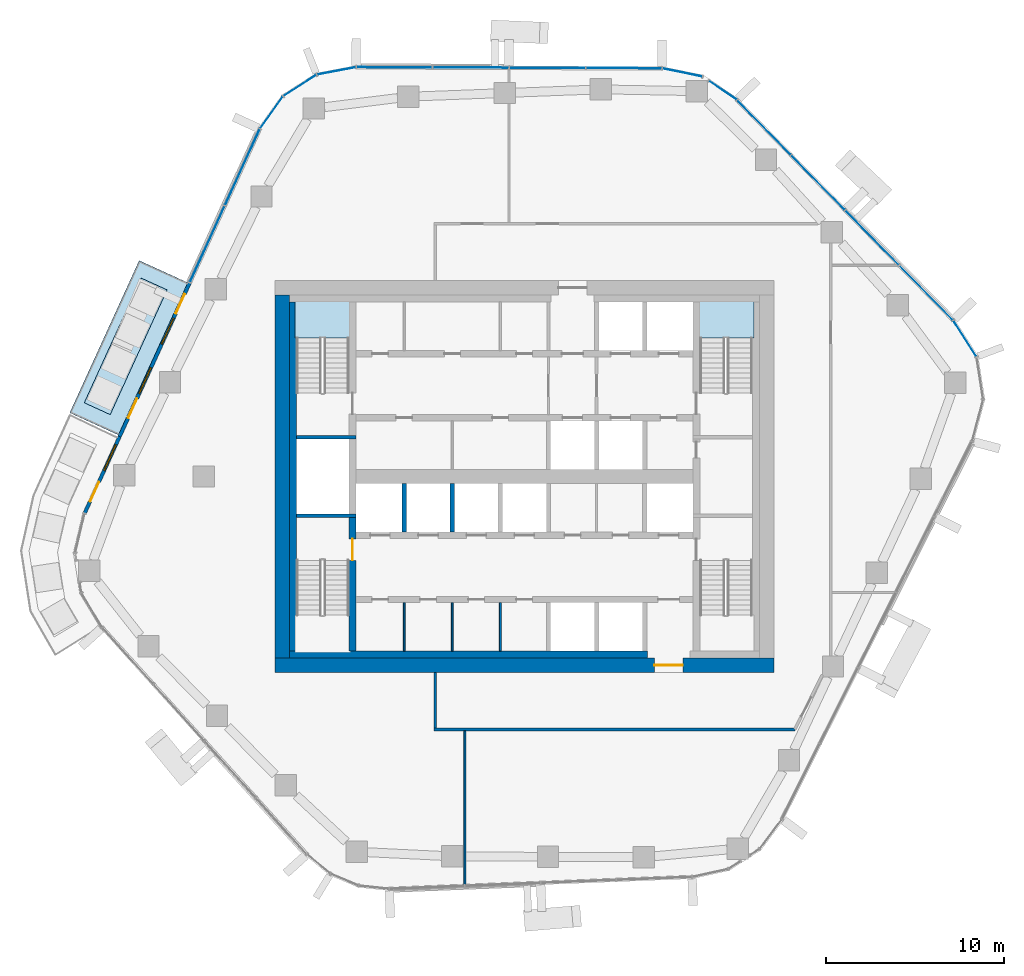
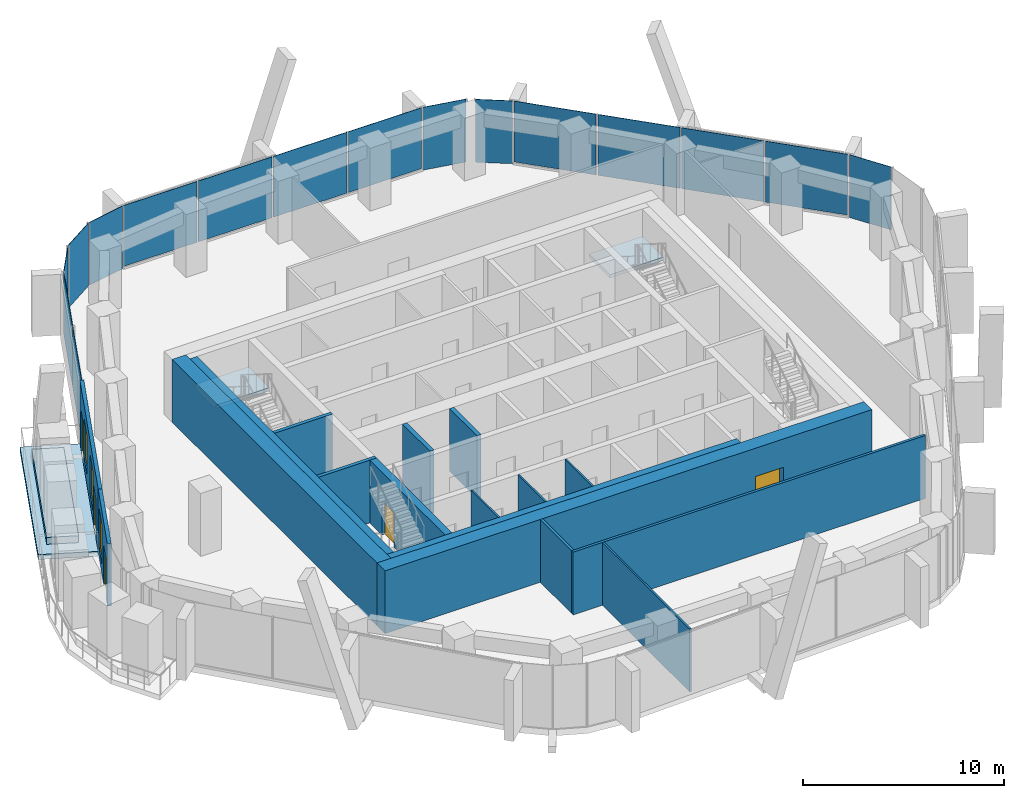
# One storey, part 11 of 19: 17 walls, 16 plates, 5 doors, 4 slabs, 3 windows, 8 openings, 9 elements without a shape of their own.
"""IFC4 building model written with IfcOpenShell, lengths in metres."""

from ifc_helpers import new_model, si_unit, direction, frame, frame_2d, origin, origin_2d, place, context, subcontext, project, spatial, polyline, rectangle, outline, extrude, material, layer, layer_set, type_object, element, fill, aggregate, save


model = new_model("IFC4")

# Units and contexts
model_context = context("Model", 3, precision=1e-05, world=origin(), true_north=direction((0.0, 1.0)))
body_context = subcontext(model_context, "Body", "Model", "MODEL_VIEW")
ifc_project = project(units=[si_unit("LENGTHUNIT", "METRE"), si_unit("AREAUNIT", "SQUARE_METRE"), si_unit("VOLUMEUNIT", "CUBIC_METRE"), si_unit("PLANEANGLEUNIT", "RADIAN"), si_unit("MASSUNIT", "GRAM", prefix="KILO")], contexts=[model_context])

# Site, building, storey
site_placement = place(None, origin())
site = spatial("IfcSite", under=ifc_project, at=site_placement, CompositionType="ELEMENT")
building_placement = place(site_placement, origin())
building = spatial("IfcBuilding", under=site, at=building_placement, Name="Dongbaek Canopy Tower", CompositionType="ELEMENT")
storey_placement = place(building_placement, frame((0.0, 0.0, 207.199951171875)))
storey = spatial("IfcBuildingStorey", under=building, at=storey_placement, Name="L43", CompositionType="ELEMENT", Elevation=207.199951171875)

# Slab
ifc_material_1 = material(Name="Concrete C40/50", Category="concrete")
ifc_layer_1 = layer(ifc_material_1, 0.300048828125)
ifc_layer_set_1 = layer_set([ifc_layer_1], Name="Balcony slab 300")
slab_type_1 = type_object("IfcSlabType", Name="Balcony slab 300", PredefinedType="FLOOR", material=ifc_layer_set_1)
slab_1_placement = place(storey_placement, frame((0.0, 0.0, -0.300048828125)))
element("IfcSlab", 1, at=slab_1_placement, inside=storey, type_object=slab_type_1, Name="Balcony L43 1", PredefinedType="FLOOR", context=body_context, shape_type="SweptSolid", body=[
    extrude(outline(polyline([(-18.8994140625, 10.88330078125), (-22.796142578125, 2.33447265625), (-25.52587890625, 3.57861328125), (-21.629150390625, 12.12744140625), (-18.8994140625, 10.88330078125)])), origin(), (0.0, 0.0, 1.0), 0.300048828125),
])

# Curtain wall, plate
ifc_material_2 = material(Name="Aluminium 6063-T6 pale anodised", Category="aluminium")
ifc_layer_2 = layer(ifc_material_2, 0.199951171875)
ifc_layer_set_2 = layer_set([ifc_layer_2], Name="CW-1 unitised tower curtain wall")
curtain_wall_type = type_object("IfcCurtainWallType", Name="CW-1 unitised tower curtain wall", PredefinedType="NOTDEFINED", material=ifc_layer_set_2)
curtain_wall_1_placement = place(storey_placement, origin())
curtain_wall_1 = element("IfcCurtainWall", 2, at=curtain_wall_1_placement, inside=storey, type_object=curtain_wall_type, Name="CW-1 curtain wall K0.1", PredefinedType="NOTDEFINED")
ifc_material_3 = material(Name="Clear laminated glass", Category="glass")
ifc_layer_3 = layer(ifc_material_3, 0.028076171875)
ifc_layer_set_3 = layer_set([ifc_layer_3], Name="CW-1 glazed panel 28")
plate_type = type_object("IfcPlateType", Name="CW-1 glazed panel 28", PredefinedType="CURTAIN_PANEL", material=ifc_layer_set_3)
plate_1_placement = place(storey_placement, frame((24.725830078125, 7.748046875, 0.0), z_axis=(0.0, 0.0, 1.0), x_axis=(-0.538699608566, 0.842497912004, 0.0)))
plate_1 = element("IfcPlate", 3, at=plate_1_placement, type_object=plate_type, Name="CW-1 panel K0.1.3.1", PredefinedType="CURTAIN_PANEL", context=body_context, shape_type="SweptSolid", body=[
    extrude(rectangle(XDim=2.35107421875, YDim=0.028076171875, at=origin_2d()), origin(), (0.0, 0.0, 1.0), 3.820068359375),
])
aggregate(curtain_wall_1, [plate_1])

# Curtain wall, plates
curtain_wall_2_placement = place(storey_placement, origin())
curtain_wall_2 = element("IfcCurtainWall", 4, at=curtain_wall_2_placement, inside=storey, type_object=curtain_wall_type, Name="CW-1 curtain wall F0.1", PredefinedType="NOTDEFINED")
plate_2_placement = place(storey_placement, frame((22.554931640625, 10.31787109375, 0.1201171875), z_axis=(0.0, 0.0, 1.0), x_axis=(-0.700367537709, 0.713782398301, 0.0)))
plate_2 = element("IfcPlate", 5, at=plate_2_placement, type_object=plate_type, Name="CW-1 panel F0.1.1.1", PredefinedType="CURTAIN_PANEL", context=body_context, shape_type="SweptSolid", body=[
    extrude(rectangle(XDim=4.24267578125, YDim=0.028076171875, at=origin_2d()), origin(), (0.0, 0.0, 1.0), 3.699951171875),
])
plate_3_placement = place(storey_placement, frame((19.52099609375, 13.409912109375, 0.1201171875), z_axis=(0.0, 0.0, 1.0), x_axis=(-0.700367537709, 0.713782398301, 0.0)))
plate_3 = element("IfcPlate", 6, at=plate_3_placement, type_object=plate_type, Name="CW-1 panel F0.1.2.1", PredefinedType="CURTAIN_PANEL", context=body_context, shape_type="SweptSolid", body=[
    extrude(rectangle(XDim=4.2529296875, YDim=0.028076171875, at=origin_2d()), origin(), (0.0, 0.0, 1.0), 3.699951171875),
])
plate_4_placement = place(storey_placement, frame((16.4833984375, 16.505615234375, 0.1201171875), z_axis=(0.0, 0.0, 1.0), x_axis=(-0.700367537709, 0.713782398301, 0.0)))
plate_4 = element("IfcPlate", 7, at=plate_4_placement, type_object=plate_type, Name="CW-1 panel F0.1.3.1", PredefinedType="CURTAIN_PANEL", context=body_context, shape_type="SweptSolid", body=[
    extrude(rectangle(XDim=4.2529296875, YDim=0.028076171875, at=origin_2d()), origin(), (0.0, 0.0, 1.0), 3.699951171875),
])
plate_5_placement = place(storey_placement, frame((13.449462890625, 19.59765625, 0.1201171875), z_axis=(0.0, 0.0, 1.0), x_axis=(-0.700367537709, 0.713782398301, 0.0)))
plate_5 = element("IfcPlate", 8, at=plate_5_placement, type_object=plate_type, Name="CW-1 panel F0.1.4.1", PredefinedType="CURTAIN_PANEL", context=body_context, shape_type="SweptSolid", body=[
    extrude(rectangle(XDim=4.2431640625, YDim=0.028076171875, at=origin_2d()), origin(), (0.0, 0.0, 1.0), 3.699951171875),
])
aggregate(curtain_wall_2, [plate_2, plate_3, plate_4, plate_5])

# Curtain wall, plate
curtain_wall_3_placement = place(storey_placement, origin())
curtain_wall_3 = element("IfcCurtainWall", 9, at=curtain_wall_3_placement, inside=storey, type_object=curtain_wall_type, Name="CW-1 curtain wall K1.1a", PredefinedType="NOTDEFINED")
plate_6_placement = place(storey_placement, frame((11.13671875, 21.68408203125, 0.0), z_axis=(0.0, 0.0, 1.0), x_axis=(-0.826979783957, 0.562231657706, 0.0)))
plate_6 = element("IfcPlate", 10, at=plate_6_placement, type_object=plate_type, Name="CW-1 panel K1.1a.1.1", PredefinedType="CURTAIN_PANEL", context=body_context, shape_type="SweptSolid", body=[
    extrude(rectangle(XDim=1.8447265625, YDim=0.028076171875, at=origin_2d()), origin(), (0.0, 0.0, 1.0), 3.820068359375),
])
aggregate(curtain_wall_3, [plate_6])

curtain_wall_4_placement = place(storey_placement, origin())
curtain_wall_4 = element("IfcCurtainWall", 11, at=curtain_wall_4_placement, inside=storey, type_object=curtain_wall_type, Name="CW-1 curtain wall K1.1b", PredefinedType="NOTDEFINED")
plate_7_placement = place(storey_placement, frame((8.8681640625, 22.683837890625, 0.0), z_axis=(0.0, 0.0, 1.0), x_axis=(-0.979771954396, 0.200117259075, 0.0)))
plate_7 = element("IfcPlate", 12, at=plate_7_placement, type_object=plate_type, Name="CW-1 panel K1.1b.1.1", PredefinedType="CURTAIN_PANEL", context=body_context, shape_type="SweptSolid", body=[
    extrude(rectangle(XDim=2.244140625, YDim=0.028076171875, at=origin_2d()), origin(), (0.0, 0.0, 1.0), 3.820068359375),
])
aggregate(curtain_wall_4, [plate_7])

# Curtain wall, plates
curtain_wall_5_placement = place(storey_placement, origin())
curtain_wall_5 = element("IfcCurtainWall", 13, at=curtain_wall_5_placement, inside=storey, type_object=curtain_wall_type, Name="CW-1 curtain wall F1.1", PredefinedType="NOTDEFINED")
plate_8_placement = place(storey_placement, frame((5.5830078125, 22.9248046875, 0.1201171875), z_axis=(0.0, 0.0, 1.0), x_axis=(-0.999993245538, 0.003675442583, 0.0)))
plate_8 = element("IfcPlate", 14, at=plate_8_placement, type_object=plate_type, Name="CW-1 panel F1.1.1.1", PredefinedType="CURTAIN_PANEL", context=body_context, shape_type="SweptSolid", body=[
    extrude(rectangle(XDim=4.205322265625, YDim=0.028076171875, at=origin_2d()), origin(), (0.0, 0.0, 1.0), 3.699951171875),
])
plate_9_placement = place(storey_placement, frame((1.288818359375, 22.940673828125, 0.1201171875), z_axis=(0.0, 0.0, 1.0), x_axis=(-0.999993245538, 0.003675442583, 0.0)))
plate_9 = element("IfcPlate", 15, at=plate_9_placement, type_object=plate_type, Name="CW-1 panel F1.1.2.1", PredefinedType="CURTAIN_PANEL", context=body_context, shape_type="SweptSolid", body=[
    extrude(rectangle(XDim=4.21533203125, YDim=0.028076171875, at=origin_2d()), origin(), (0.0, 0.0, 1.0), 3.699951171875),
])
plate_10_placement = place(storey_placement, frame((-3.010498046875, 22.956298828125, 0.1201171875), z_axis=(0.0, 0.0, 1.0), x_axis=(-0.999993245538, 0.003675442583, 0.0)))
plate_10 = element("IfcPlate", 16, at=plate_10_placement, type_object=plate_type, Name="CW-1 panel F1.1.3.1", PredefinedType="CURTAIN_PANEL", context=body_context, shape_type="SweptSolid", body=[
    extrude(rectangle(XDim=4.21533203125, YDim=0.028076171875, at=origin_2d()), origin(), (0.0, 0.0, 1.0), 3.699951171875),
])
plate_11_placement = place(storey_placement, frame((-7.304931640625, 22.97216796875, 0.1201171875), z_axis=(0.0, 0.0, 1.0), x_axis=(-0.999993245538, 0.003675442583, 0.0)))
plate_11 = element("IfcPlate", 17, at=plate_11_placement, type_object=plate_type, Name="CW-1 panel F1.1.4.1", PredefinedType="CURTAIN_PANEL", context=body_context, shape_type="SweptSolid", body=[
    extrude(rectangle(XDim=4.20556640625, YDim=0.028076171875, at=origin_2d()), origin(), (0.0, 0.0, 1.0), 3.699951171875),
])
aggregate(curtain_wall_5, [plate_8, plate_9, plate_10, plate_11])

curtain_wall_6_placement = place(storey_placement, origin())
curtain_wall_6 = element("IfcCurtainWall", 18, at=curtain_wall_6_placement, inside=storey, type_object=curtain_wall_type, Name="CW-1 curtain wall K2.1", PredefinedType="NOTDEFINED")
plate_12_placement = place(storey_placement, frame((-10.555419921875, 22.770263671875, 0.0), z_axis=(0.0, 0.0, 1.0), x_axis=(-0.982481231355, -0.186361557287, 0.0)))
plate_12 = element("IfcPlate", 19, at=plate_12_placement, type_object=plate_type, Name="CW-1 panel K2.1.1.1", PredefinedType="CURTAIN_PANEL", context=body_context, shape_type="SweptSolid", body=[
    extrude(rectangle(XDim=2.166748046875, YDim=0.028076171875, at=origin_2d()), origin(), (0.0, 0.0, 1.0), 3.820068359375),
])
plate_13_placement = place(storey_placement, frame((-12.6044921875, 21.956298828125, 0.0), z_axis=(0.0, 0.0, 1.0), x_axis=(-0.842050178225, -0.539399200363, 0.0)))
plate_13 = element("IfcPlate", 20, at=plate_13_placement, type_object=plate_type, Name="CW-1 panel K2.1.2.1", PredefinedType="CURTAIN_PANEL", context=body_context, shape_type="SweptSolid", body=[
    extrude(rectangle(XDim=2.156982421875, YDim=0.028076171875, at=origin_2d()), origin(), (0.0, 0.0, 1.0), 3.820068359375),
])
plate_14_placement = place(storey_placement, frame((-14.20068359375, 20.43505859375, 0.0), z_axis=(0.0, 0.0, 1.0), x_axis=(-0.580063743798, -0.814571085376, 0.0)))
plate_14 = element("IfcPlate", 21, at=plate_14_placement, type_object=plate_type, Name="CW-1 panel K2.1.3.1", PredefinedType="CURTAIN_PANEL", context=body_context, shape_type="SweptSolid", body=[
    extrude(rectangle(XDim=2.166748046875, YDim=0.028076171875, at=origin_2d()), origin(), (0.0, 0.0, 1.0), 3.820068359375),
])
aggregate(curtain_wall_6, [plate_12, plate_13, plate_14])

curtain_wall_7_placement = place(storey_placement, origin())
curtain_wall_7 = element("IfcCurtainWall", 22, at=curtain_wall_7_placement, inside=storey, type_object=curtain_wall_type, Name="CW-1 curtain wall F2.1", PredefinedType="NOTDEFINED")
plate_15_placement = place(storey_placement, frame((-15.8359375, 17.36279296875, 0.1201171875), z_axis=(0.0, 0.0, 1.0), x_axis=(-0.414755400449, -0.909932941374, 0.0)))
plate_15 = element("IfcPlate", 23, at=plate_15_placement, type_object=plate_type, Name="CW-1 panel F2.1.1.1", PredefinedType="CURTAIN_PANEL", context=body_context, shape_type="SweptSolid", body=[
    extrude(rectangle(XDim=4.654052734375, YDim=0.028076171875, at=origin_2d()), origin(), (0.0, 0.0, 1.0), 3.699951171875),
])
plate_16_placement = place(storey_placement, frame((-17.80322265625, 13.04736328125, 0.1201171875), z_axis=(0.0, 0.0, 1.0), x_axis=(-0.414755400449, -0.909932941374, 0.0)))
plate_16 = element("IfcPlate", 24, at=plate_16_placement, type_object=plate_type, Name="CW-1 panel F2.1.2.1", PredefinedType="CURTAIN_PANEL", context=body_context, shape_type="SweptSolid", body=[
    extrude(rectangle(XDim=4.66357421875, YDim=0.028076171875, at=origin_2d()), origin(), (0.0, 0.0, 1.0), 3.699951171875),
])
aggregate(curtain_wall_7, [plate_15, plate_16])

# Stair, slab
ifc_material_4 = material(Name="Concrete C40/50", Category="concrete")
stair_type = type_object("IfcStairType", Name="Core exit stair", PredefinedType="HALF_TURN_STAIR", material=ifc_material_4)
stair_1_placement = place(storey_placement, origin())
stair_1 = element("IfcStair", 25, at=stair_1_placement, inside=storey, type_object=stair_type, Name="L43 exit stair A", PredefinedType="HALF_TURN_STAIR")
ifc_material_5 = material(Name="Concrete C40/50", Category="concrete")
ifc_layer_4 = layer(ifc_material_5, 0.199951171875)
ifc_layer_set_4 = layer_set([ifc_layer_4], Name="Core stair landing 200")
slab_type_2 = type_object("IfcSlabType", Name="Core stair landing 200", PredefinedType="LANDING", material=ifc_layer_set_4)
slab_2_placement = place(storey_placement, frame((0.0, 0.0, 1.900146484375)))
slab_2 = element("IfcSlab", 26, at=slab_2_placement, type_object=slab_type_2, Name="ST-A landing 1", PredefinedType="LANDING", context=body_context, shape_type="SweptSolid", body=[
    extrude(outline(polyline([(12.875, 7.780029296875), (12.875, 9.875), (9.77490234375, 9.875), (9.77490234375, 7.780029296875), (12.875, 7.780029296875)])), origin(), (0.0, 0.0, 1.0), 0.199951171875),
])
aggregate(stair_1, [slab_2])

stair_2_placement = place(storey_placement, origin())
stair_2 = element("IfcStair", 27, at=stair_2_placement, inside=storey, type_object=stair_type, Name="L43 exit stair C", PredefinedType="HALF_TURN_STAIR")
slab_3_placement = place(storey_placement, frame((0.0, 0.0, 1.900146484375)))
slab_3 = element("IfcSlab", 28, at=slab_3_placement, type_object=slab_type_2, Name="ST-C landing 1", PredefinedType="LANDING", context=body_context, shape_type="SweptSolid", body=[
    extrude(outline(polyline([(-9.77490234375, 7.780029296875), (-9.77490234375, 9.875), (-12.875, 9.875), (-12.875, 7.780029296875), (-9.77490234375, 7.780029296875)])), origin(), (0.0, 0.0, 1.0), 0.199951171875),
])
aggregate(stair_2, [slab_3])

# Slab
ifc_material_6 = material(Name="Reinforced concrete C40/50 planter box with soil", Category="concrete")
ifc_layer_5 = layer(ifc_material_6, 0.419921875)
ifc_layer_set_5 = layer_set([ifc_layer_5], Name="Terrace planter box 1600 x 420")
slab_type_3 = type_object("IfcSlabType", Name="Terrace planter box 1600 x 420", PredefinedType="USERDEFINED", material=ifc_layer_set_5)
slab_4_placement = place(storey_placement, origin())
element("IfcSlab", 29, at=slab_4_placement, inside=storey, type_object=slab_type_3, Name="Balcony planter L43 1", ObjectType="PLANTER", PredefinedType="USERDEFINED", context=body_context, shape_type="SweptSolid", body=[
    extrude(outline(polyline([(-20.061767578125, 10.47900390625), (-23.25341796875, 3.47705078125), (-24.709228515625, 4.140625), (-21.517578125, 11.142578125), (-20.061767578125, 10.47900390625)])), origin(), (0.0, 0.0, 1.0), 0.420166015625),
])

# Wall, opening, door
ifc_material_7 = material(Name="Concrete C70/85", Category="concrete")
ifc_layer_6 = layer(ifc_material_7, 0.800048828125)
ifc_layer_set_6 = layer_set([ifc_layer_6], Name="Core outer wall 800 Concrete C70/85")
wall_type_1 = type_object("IfcWallType", Name="Core outer wall 800 Concrete C70/85", PredefinedType="SHEAR", material=ifc_layer_set_6)
wall_1_placement = place(storey_placement, frame((14.0, -10.60009765625, 0.0), z_axis=(0.0, 0.0, 1.0), x_axis=(-1.0, 0.0, 0.0)))
wall_1 = element("IfcWall", 30, at=wall_1_placement, inside=storey, type_object=wall_type_1, Name="Core wall", PredefinedType="SHEAR", context=body_context, shape_type="SweptSolid", body=[
    extrude(rectangle(XDim=28.0, YDim=0.800048828125, at=frame_2d((14.0, 0.0))), origin(), (0.0, 0.0, 1.0), 3.820068359375),
])
opening_1_placement = place(wall_1_placement, frame((5.10009765625, 0.0, 0.0)))
opening_1 = element("IfcOpeningElement", 31, at=opening_1_placement, cuts=wall_1, Name="Opening L43-D018", PredefinedType="OPENING", context=body_context, shape_type="SweptSolid", body=[
    extrude(rectangle(XDim=1.60009765625, YDim=2.10009765625, at=frame_2d((0.800048828125, 1.050048828125))), frame((0.0, 0.409912109375, 0.0), z_axis=(0.0, -1.0, 0.0), x_axis=(1.0, 0.0, 0.0)), (0.0, 0.0, 1.0), 0.820068359375),
])
ifc_material_8 = material(Name="Steel", Category="steel")
door_type_1 = type_object("IfcDoorType", Name="Core exit door 1600 x 2100", OperationType="DOUBLE_DOOR_SINGLE_SWING", PredefinedType="DOOR", material=ifc_material_8)
door_1_placement = place(opening_1_placement, origin())
door_1 = element("IfcDoor", 32, at=door_1_placement, inside=storey, type_object=door_type_1, Name="Core exit door", OperationType="DOUBLE_DOOR_SINGLE_SWING", OverallHeight=2.10009765625, OverallWidth=1.60009765625, PredefinedType="DOOR", context=body_context, shape_type="SweptSolid", body=[
    extrude(rectangle(XDim=1.60009765625, YDim=2.10009765625, at=frame_2d((0.800048828125, 1.050048828125))), frame((0.0, 0.02490234375, 0.0), z_axis=(0.0, -1.0, 0.0), x_axis=(1.0, 0.0, 0.0)), (0.0, 0.0, 1.0), 0.050048828125),
])
fill(opening_1, door_1)

# Walls
wall_2_placement = place(storey_placement, frame((-13.60009765625, -10.199951171875, 0.0), z_axis=(0.0, 0.0, 1.0), x_axis=(0.0, 1.0, 0.0)))
element("IfcWall", 33, at=wall_2_placement, inside=storey, type_object=wall_type_1, Name="Core wall", PredefinedType="SHEAR", context=body_context, shape_type="SweptSolid", body=[
    extrude(rectangle(XDim=20.39990234375, YDim=0.800048828125, at=frame_2d((10.199951171875, 0.0))), origin(), (0.0, 0.0, 1.0), 3.820068359375),
])
ifc_material_9 = material(Name="Concrete C60/75", Category="concrete")
ifc_layer_7 = layer(ifc_material_9, 0.39990234375)
ifc_layer_set_7 = layer_set([ifc_layer_7], Name="Core wall lining 400 Concrete C60/75")
wall_type_2 = type_object("IfcWallType", Name="Core wall lining 400 Concrete C60/75", PredefinedType="SHEAR", material=ifc_layer_set_7)
wall_3_placement = place(storey_placement, frame((6.89990234375, -10.0, 0.0), z_axis=(0.0, 0.0, 1.0), x_axis=(-1.0, 0.0, 0.0)))
element("IfcWall", 34, at=wall_3_placement, inside=storey, type_object=wall_type_2, Name="Core wall lining", PredefinedType="SHEAR", context=body_context, shape_type="SweptSolid", body=[
    extrude(rectangle(XDim=20.099853515625, YDim=0.39990234375, at=frame_2d((10.0498046875, 0.0))), origin(), (0.0, 0.0, 1.0), 3.820068359375),
])
wall_4_placement = place(storey_placement, frame((-13.0, -9.800048828125, 0.0), z_axis=(0.0, 0.0, 1.0), x_axis=(0.0, 1.0, 0.0)))
element("IfcWall", 35, at=wall_4_placement, inside=storey, type_object=wall_type_2, Name="Core wall lining", PredefinedType="SHEAR", context=body_context, shape_type="SweptSolid", body=[
    extrude(rectangle(XDim=19.60009765625, YDim=0.39990234375, at=frame_2d((9.800048828125, 0.0))), origin(), (0.0, 0.0, 1.0), 3.820068359375),
])
ifc_material_10 = material(Name="Gypsum board partition, steel stud, 2 x 15 mm fire board", Category="steel")
ifc_layer_8 = layer(ifc_material_10, 0.14990234375)
ifc_layer_set_8 = layer_set([ifc_layer_8], Name="Fire-rated partition 150 gypsum board")
wall_type_3 = type_object("IfcWallType", Name="Fire-rated partition 150 gypsum board", PredefinedType="PARTITIONING", material=ifc_layer_set_8)
wall_5_placement = place(storey_placement, frame((-5.074951171875, -14.199951171875, 0.0), z_axis=(0.0, 0.0, 1.0), x_axis=(1.0, 0.0, 0.0)))
element("IfcWall", 36, at=wall_5_placement, inside=storey, type_object=wall_type_3, Name="Corridor partition", PredefinedType="PARTITIONING", context=body_context, shape_type="SweptSolid", body=[
    extrude(rectangle(XDim=20.2548828125, YDim=0.14990234375, at=frame_2d((10.12744140625, 0.0))), origin(), (0.0, 0.0, 1.0), 3.820068359375),
])
wall_6_placement = place(storey_placement, frame((-5.0, -14.125, 0.0), z_axis=(0.0, 0.0, 1.0), x_axis=(0.0, 1.0, 0.0)))
element("IfcWall", 37, at=wall_6_placement, inside=storey, type_object=wall_type_3, Name="Corridor partition", PredefinedType="PARTITIONING", context=body_context, shape_type="SweptSolid", body=[
    extrude(rectangle(XDim=3.125, YDim=0.14990234375, at=frame_2d((1.5625, 0.0))), origin(), (0.0, 0.0, 1.0), 3.820068359375),
])
ifc_material_11 = material(Name="Concrete C40/50", Category="concrete")
ifc_layer_9 = layer(ifc_material_11, 0.25)
ifc_layer_set_9 = layer_set([ifc_layer_9], Name="Lift shaft wall 250 Concrete C40/50")
wall_type_4 = type_object("IfcWallType", Name="Lift shaft wall 250 Concrete C40/50", PredefinedType="SOLIDWALL", material=ifc_layer_set_9)
for number, where, z_axis, x_axis, name in (
    (38, (-4.050048828125, -3.125, 0.0), (0.0, 0.0, 1.0), (0.0, 1.0, 0.0), "Lift shaft wall"),
    (39, (-6.75, -3.125, 0.0), (0.0, 0.0, 1.0), (0.0, 1.0, 0.0), "Lift shaft wall"),
):
    element("IfcWall", number, at=place(storey_placement, frame(where, z_axis=z_axis, x_axis=x_axis)), inside=storey, type_object=wall_type_4, Name=name, PredefinedType="SOLIDWALL", context=body_context, shape_type="SweptSolid", body=[
        extrude(rectangle(XDim=2.72509765625, YDim=0.25, at=frame_2d((1.362548828125, 0.0))), origin(), (0.0, 0.0, 1.0), 3.820068359375),
    ])
ifc_material_12 = material(Name="Gypsum board partition, steel stud, 2 x 12.5 mm board", Category="steel")
ifc_layer_10 = layer(ifc_material_12, 0.10009765625)
ifc_layer_set_10 = layer_set([ifc_layer_10], Name="Partition 100 gypsum board")
wall_type_5 = type_object("IfcWallType", Name="Partition 100 gypsum board", PredefinedType="PARTITIONING", material=ifc_layer_set_10)
wall_7_placement = place(storey_placement, frame((-3.343994140625, -22.963623046875, 0.0), z_axis=(0.0, 0.0, 1.0), x_axis=(0.0, 1.0, 0.0)))
element("IfcWall", 40, at=wall_7_placement, inside=storey, type_object=wall_type_5, Name="Partition", PredefinedType="PARTITIONING", context=body_context, shape_type="SweptSolid", body=[
    extrude(rectangle(XDim=8.688720703125, YDim=0.10009765625, at=frame_2d((4.34423828125, 0.0))), origin(), (0.0, 0.0, 1.0), 3.820068359375),
])
for number, where, z_axis, x_axis, name in (
    (41, (-1.35009765625, -9.800048828125, 0.0), (0.0, 0.0, 1.0), (0.0, 1.0, 0.0), "Core partition"),
    (42, (-4.050048828125, -9.800048828125, 0.0), (0.0, 0.0, 1.0), (0.0, 1.0, 0.0), "Core partition"),
    (43, (-6.75, -9.800048828125, 0.0), (0.0, 0.0, 1.0), (0.0, 1.0, 0.0), "Core partition"),
):
    element("IfcWall", number, at=place(storey_placement, frame(where, z_axis=z_axis, x_axis=x_axis)), inside=storey, type_object=wall_type_5, Name=name, PredefinedType="PARTITIONING", context=body_context, shape_type="SweptSolid", body=[
        extrude(rectangle(XDim=2.72509765625, YDim=0.10009765625, at=frame_2d((1.362548828125, 0.0))), origin(), (0.0, 0.0, 1.0), 3.820068359375),
    ])
ifc_material_13 = material(Name="Concrete C60/75", Category="concrete")
ifc_layer_11 = layer(ifc_material_13, 0.199951171875)
ifc_layer_set_11 = layer_set([ifc_layer_11], Name="Riser wall 200 Concrete C60/75")
wall_type_6 = type_object("IfcWallType", Name="Riser wall 200 Concrete C60/75", PredefinedType="SHEAR", material=ifc_layer_set_11)
for number, where, z_axis, x_axis, name in (
    (44, (-9.449951171875, 2.199951171875, 0.0), (0.0, 0.0, 1.0), (-1.0, 0.0, 0.0), "Riser wall"),
    (45, (-9.449951171875, -2.199951171875, 0.0), (0.0, 0.0, 1.0), (-1.0, 0.0, 0.0), "Riser wall"),
):
    element("IfcWall", number, at=place(storey_placement, frame(where, z_axis=z_axis, x_axis=x_axis)), inside=storey, type_object=wall_type_6, Name=name, PredefinedType="SHEAR", context=body_context, shape_type="SweptSolid", body=[
        extrude(rectangle(XDim=3.35009765625, YDim=0.199951171875, at=frame_2d((1.675048828125, 0.0))), origin(), (0.0, 0.0, 1.0), 3.820068359375),
    ])

# Wall, opening, door
ifc_material_14 = material(Name="Concrete C60/75", Category="concrete")
ifc_layer_12 = layer(ifc_material_14, 0.39990234375)
ifc_layer_set_12 = layer_set([ifc_layer_12], Name="Stair wall 400 Concrete C60/75")
wall_type_7 = type_object("IfcWallType", Name="Stair wall 400 Concrete C60/75", PredefinedType="SHEAR", material=ifc_layer_set_12)
wall_8_placement = place(storey_placement, frame((-9.64990234375, -9.800048828125, 0.0), z_axis=(0.0, 0.0, 1.0), x_axis=(0.0, 1.0, 0.0)))
wall_8 = element("IfcWall", 46, at=wall_8_placement, inside=storey, type_object=wall_type_7, Name="Stair wall", PredefinedType="SHEAR", context=body_context, shape_type="SweptSolid", body=[
    extrude(rectangle(XDim=7.5, YDim=0.39990234375, at=frame_2d((3.75, 0.0))), origin(), (0.0, 0.0, 1.0), 3.820068359375),
])
opening_2_placement = place(wall_8_placement, frame((5.10009765625, 0.0, 0.0)))
opening_2 = element("IfcOpeningElement", 47, at=opening_2_placement, cuts=wall_8, Name="Opening L43-D034", PredefinedType="OPENING", context=body_context, shape_type="SweptSolid", body=[
    extrude(rectangle(XDim=1.199951171875, YDim=2.10009765625, at=frame_2d((0.60009765625, 1.050048828125))), frame((0.0, 0.2099609375, 0.0), z_axis=(0.0, -1.0, 0.0), x_axis=(1.0, 0.0, 0.0)), (0.0, 0.0, 1.0), 0.419921875),
])
ifc_material_15 = material(Name="Steel", Category="steel")
door_type_2 = type_object("IfcDoorType", Name="Stair door 1200 x 2100", OperationType="SINGLE_SWING_LEFT", PredefinedType="DOOR", material=ifc_material_15)
door_2_placement = place(opening_2_placement, origin())
door_2 = element("IfcDoor", 48, at=door_2_placement, inside=storey, type_object=door_type_2, Name="Stair D door", OperationType="SINGLE_SWING_LEFT", OverallHeight=2.10009765625, OverallWidth=1.199951171875, PredefinedType="DOOR", context=body_context, shape_type="SweptSolid", body=[
    extrude(rectangle(XDim=1.199951171875, YDim=2.10009765625, at=frame_2d((0.60009765625, 1.050048828125))), frame((0.0, 0.02490234375, 0.0), z_axis=(0.0, -1.0, 0.0), x_axis=(1.0, 0.0, 0.0)), (0.0, 0.0, 1.0), 0.050048828125),
])
fill(opening_2, door_2)

# Wall, openings, doors, windows
ifc_material_16 = material(Name="Aluminium window wall", Category="aluminium")
ifc_layer_13 = layer(ifc_material_16, 0.199951171875)
ifc_layer_set_13 = layer_set([ifc_layer_13], Name="Window wall 200")
wall_type_8 = type_object("IfcWallType", Name="Window wall 200", PredefinedType="SOLIDWALL", material=ifc_layer_set_13)
wall_9_placement = place(storey_placement, frame((-18.78759765625, 10.88720703125, 0.0), z_axis=(0.0, 0.0, 1.0), x_axis=(-0.414763575381, -0.909929215124, 0.0)))
wall_9 = element("IfcWall", 49, at=wall_9_placement, inside=storey, type_object=wall_type_8, Name="Window wall L43 1", PredefinedType="SOLIDWALL", context=body_context, shape_type="SweptSolid", body=[
    extrude(rectangle(XDim=9.4951171875, YDim=0.199951171875, at=frame_2d((4.74755859375, 0.0))), origin(), (0.0, 0.0, 1.0), 3.820068359375),
])
opening_3_placement = place(wall_9_placement, frame((2.199951171875, 0.0, 0.60009765625)))
opening_3 = element("IfcOpeningElement", 50, at=opening_3_placement, cuts=wall_9, Name="Opening W1", PredefinedType="OPENING", context=body_context, shape_type="SweptSolid", body=[
    extrude(rectangle(XDim=1.60009765625, YDim=2.39990234375, at=frame_2d((0.800048828125, 1.199951171875))), frame((0.0, 0.10986328125, 0.0), z_axis=(0.0, -1.0, 0.0), x_axis=(1.0, 0.0, 0.0)), (0.0, 0.0, 1.0), 0.219970703125),
])
opening_4_placement = place(wall_9_placement, frame((0.699951171875, 0.0, 0.0)))
opening_4 = element("IfcOpeningElement", 51, at=opening_4_placement, cuts=wall_9, Name="Opening L43-B01", PredefinedType="OPENING", context=body_context, shape_type="SweptSolid", body=[
    extrude(rectangle(XDim=1.199951171875, YDim=2.39990234375, at=frame_2d((0.60009765625, 1.199951171875))), frame((0.0, 0.10986328125, 0.0), z_axis=(0.0, -1.0, 0.0), x_axis=(1.0, 0.0, 0.0)), (0.0, 0.0, 1.0), 0.219970703125),
])
opening_5_placement = place(wall_9_placement, frame((5.24755859375, 0.0, 0.60009765625)))
opening_5 = element("IfcOpeningElement", 52, at=opening_5_placement, cuts=wall_9, Name="Opening W1", PredefinedType="OPENING", context=body_context, shape_type="SweptSolid", body=[
    extrude(rectangle(XDim=1.60009765625, YDim=2.39990234375, at=frame_2d((0.800048828125, 1.199951171875))), frame((0.0, 0.10986328125, 0.0), z_axis=(0.0, -1.0, 0.0), x_axis=(1.0, 0.0, 0.0)), (0.0, 0.0, 1.0), 0.219970703125),
])
opening_6_placement = place(wall_9_placement, frame((7.1474609375, 0.0, 0.0)))
opening_6 = element("IfcOpeningElement", 53, at=opening_6_placement, cuts=wall_9, Name="Opening L43-B02", PredefinedType="OPENING", context=body_context, shape_type="SweptSolid", body=[
    extrude(rectangle(XDim=1.199951171875, YDim=2.39990234375, at=frame_2d((0.60009765625, 1.199951171875))), frame((0.0, 0.10986328125, 0.0), z_axis=(0.0, -1.0, 0.0), x_axis=(1.0, 0.0, 0.0)), (0.0, 0.0, 1.0), 0.219970703125),
])
ifc_material_17 = material(Name="Clear glazing in aluminium frame", Category="aluminium")
door_type_3 = type_object("IfcDoorType", Name="Balcony door BD1 1200 x 2400", OperationType="SLIDING_TO_LEFT", PredefinedType="DOOR", material=ifc_material_17)
door_3_placement = place(opening_4_placement, origin())
door_3 = element("IfcDoor", 54, at=door_3_placement, inside=storey, type_object=door_type_3, Name="Balcony door L43-B01", OperationType="SLIDING_TO_LEFT", OverallHeight=2.39990234375, OverallWidth=1.199951171875, PredefinedType="DOOR", context=body_context, shape_type="SweptSolid", body=[
    extrude(rectangle(XDim=1.199951171875, YDim=2.39990234375, at=frame_2d((0.60009765625, 1.199951171875))), frame((0.0, 0.02490234375, 0.0), z_axis=(0.0, -1.0, 0.0), x_axis=(1.0, 0.0, 0.0)), (0.0, 0.0, 1.0), 0.050048828125),
])
fill(opening_4, door_3)
door_4_placement = place(opening_6_placement, origin())
door_4 = element("IfcDoor", 55, at=door_4_placement, inside=storey, type_object=door_type_3, Name="Balcony door L43-B02", OperationType="SLIDING_TO_LEFT", OverallHeight=2.39990234375, OverallWidth=1.199951171875, PredefinedType="DOOR", context=body_context, shape_type="SweptSolid", body=[
    extrude(rectangle(XDim=1.199951171875, YDim=2.39990234375, at=frame_2d((0.60009765625, 1.199951171875))), frame((0.0, 0.02490234375, 0.0), z_axis=(0.0, -1.0, 0.0), x_axis=(1.0, 0.0, 0.0)), (0.0, 0.0, 1.0), 0.050048828125),
])
fill(opening_6, door_4)
ifc_material_18 = material(Name="Clear glazing in aluminium frame", Category="aluminium")
window_type = type_object("IfcWindowType", Name="Window W1 1600 x 2400", PartitioningType="SINGLE_PANEL", PredefinedType="WINDOW", material=ifc_material_18)
window_1_placement = place(opening_3_placement, origin())
window_1 = element("IfcWindow", 56, at=window_1_placement, inside=storey, type_object=window_type, Name="Window L43 1.1", OverallHeight=2.39990234375, OverallWidth=1.60009765625, PartitioningType="SINGLE_PANEL", PredefinedType="WINDOW", context=body_context, shape_type="SweptSolid", body=[
    extrude(rectangle(XDim=1.60009765625, YDim=2.39990234375, at=frame_2d((0.800048828125, 1.199951171875))), frame((0.0, 0.030029296875, 0.0), z_axis=(0.0, -1.0, 0.0), x_axis=(1.0, 0.0, 0.0)), (0.0, 0.0, 1.0), 0.06005859375),
])
fill(opening_3, window_1)
window_2_placement = place(opening_5_placement, origin())
window_2 = element("IfcWindow", 57, at=window_2_placement, inside=storey, type_object=window_type, Name="Window L43 1.2", OverallHeight=2.39990234375, OverallWidth=1.60009765625, PartitioningType="SINGLE_PANEL", PredefinedType="WINDOW", context=body_context, shape_type="SweptSolid", body=[
    extrude(rectangle(XDim=1.60009765625, YDim=2.39990234375, at=frame_2d((0.800048828125, 1.199951171875))), frame((0.0, 0.030029296875, 0.0), z_axis=(0.0, -1.0, 0.0), x_axis=(1.0, 0.0, 0.0)), (0.0, 0.0, 1.0), 0.06005859375),
])
fill(opening_5, window_2)

# Wall, openings, door, window
wall_10_placement = place(storey_placement, frame((-22.725830078125, 2.247314453125, 0.0), z_axis=(0.0, 0.0, 1.0), x_axis=(-0.41476943832, -0.909926542659, 0.0)))
wall_10 = element("IfcWall", 58, at=wall_10_placement, inside=storey, type_object=wall_type_8, Name="Window wall L43 2", PredefinedType="SOLIDWALL", context=body_context, shape_type="SweptSolid", body=[
    extrude(rectangle(XDim=4.73779296875, YDim=0.199951171875, at=frame_2d((2.368896484375, 0.0))), origin(), (0.0, 0.0, 1.0), 3.820068359375),
])
opening_7_placement = place(wall_10_placement, frame((0.5, 0.0, 0.60009765625)))
opening_7 = element("IfcOpeningElement", 59, at=opening_7_placement, cuts=wall_10, Name="Opening W1", PredefinedType="OPENING", context=body_context, shape_type="SweptSolid", body=[
    extrude(rectangle(XDim=1.60009765625, YDim=2.39990234375, at=frame_2d((0.800048828125, 1.199951171875))), frame((0.0, 0.10986328125, 0.0), z_axis=(0.0, -1.0, 0.0), x_axis=(1.0, 0.0, 0.0)), (0.0, 0.0, 1.0), 0.219970703125),
])
opening_8_placement = place(wall_10_placement, frame((2.800048828125, 0.0, 0.0)))
opening_8 = element("IfcOpeningElement", 60, at=opening_8_placement, cuts=wall_10, Name="Opening L43-B03", PredefinedType="OPENING", context=body_context, shape_type="SweptSolid", body=[
    extrude(rectangle(XDim=1.199951171875, YDim=2.39990234375, at=frame_2d((0.60009765625, 1.199951171875))), frame((0.0, 0.10986328125, 0.0), z_axis=(0.0, -1.0, 0.0), x_axis=(1.0, 0.0, 0.0)), (0.0, 0.0, 1.0), 0.219970703125),
])
door_5_placement = place(opening_8_placement, origin())
door_5 = element("IfcDoor", 61, at=door_5_placement, inside=storey, type_object=door_type_3, Name="Balcony door L43-B03", OperationType="SLIDING_TO_LEFT", OverallHeight=2.39990234375, OverallWidth=1.199951171875, PredefinedType="DOOR", context=body_context, shape_type="SweptSolid", body=[
    extrude(rectangle(XDim=1.199951171875, YDim=2.39990234375, at=frame_2d((0.60009765625, 1.199951171875))), frame((0.0, 0.02490234375, 0.0), z_axis=(0.0, -1.0, 0.0), x_axis=(1.0, 0.0, 0.0)), (0.0, 0.0, 1.0), 0.050048828125),
])
fill(opening_8, door_5)
window_3_placement = place(opening_7_placement, origin())
window_3 = element("IfcWindow", 62, at=window_3_placement, inside=storey, type_object=window_type, Name="Window L43 2.1", OverallHeight=2.39990234375, OverallWidth=1.60009765625, PartitioningType="SINGLE_PANEL", PredefinedType="WINDOW", context=body_context, shape_type="SweptSolid", body=[
    extrude(rectangle(XDim=1.60009765625, YDim=2.39990234375, at=frame_2d((0.800048828125, 1.199951171875))), frame((0.0, 0.030029296875, 0.0), z_axis=(0.0, -1.0, 0.0), x_axis=(1.0, 0.0, 0.0)), (0.0, 0.0, 1.0), 0.06005859375),
])
fill(opening_7, window_3)

save(model, "model.ifc")
